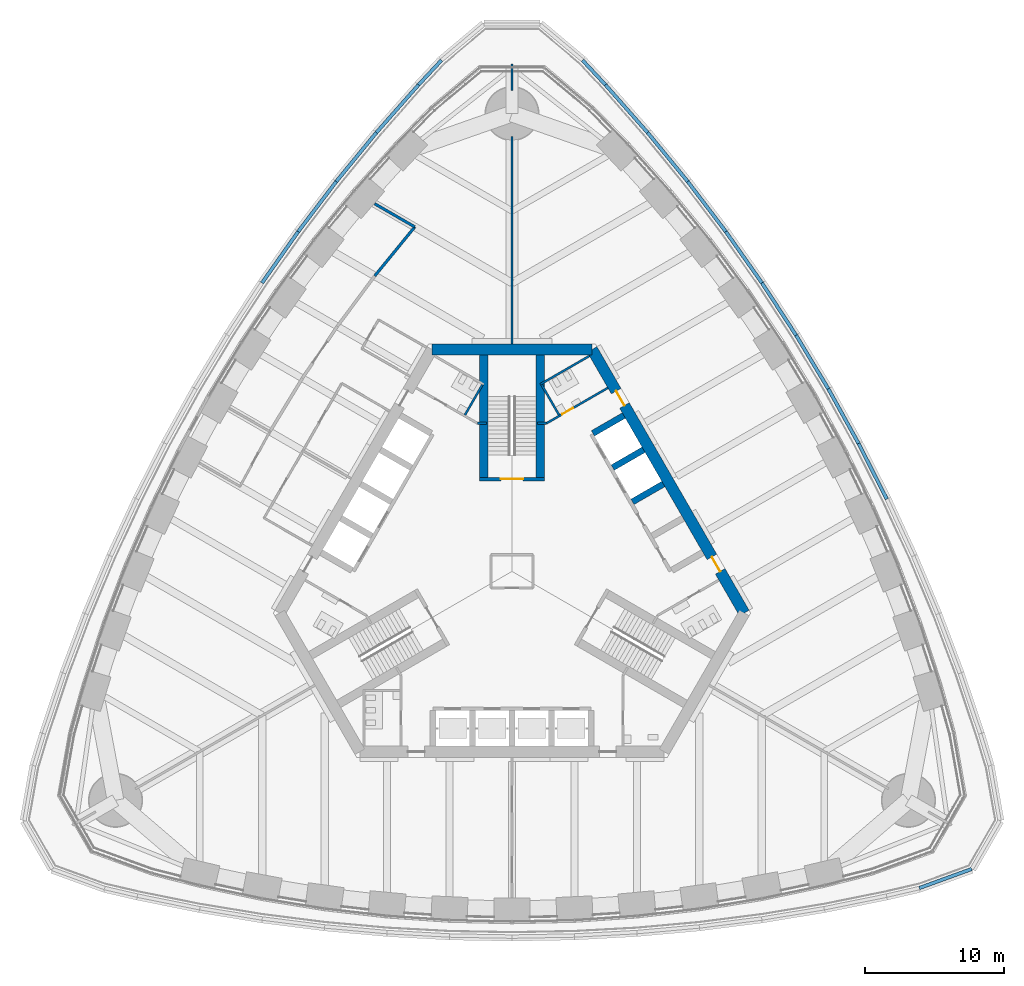
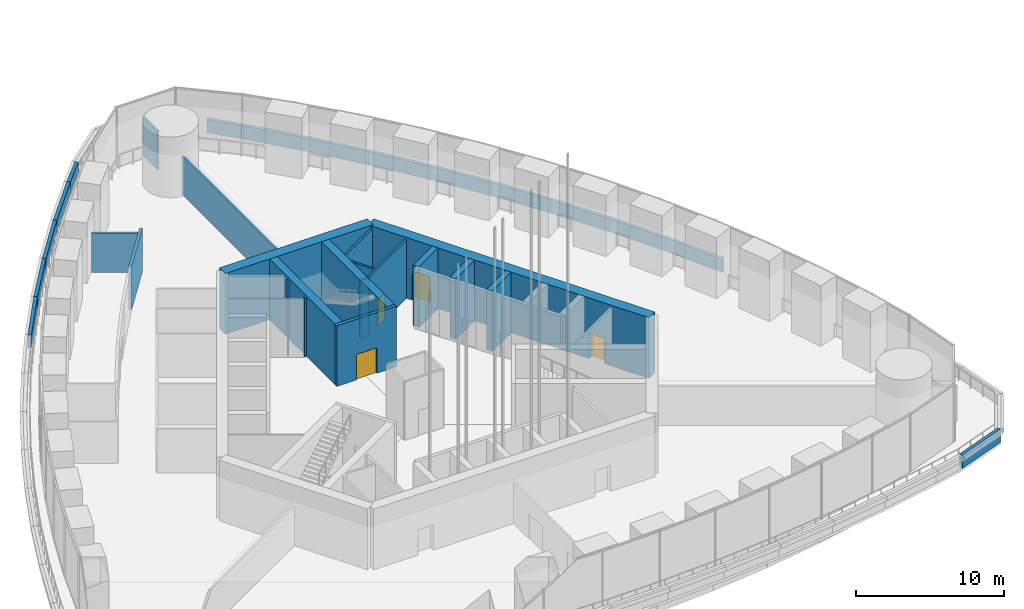
# One storey, part 15 of 31: 33 walls, 4 doors, 4 openings.
"""IFC4 building model written with IfcOpenShell, lengths in metres."""

from ifc_helpers import new_model, si_unit, direction, frame, frame_2d, origin, place, context, subcontext, project, spatial, rectangle, extrude, material, layer, layer_set, type_object, element, fill, save


model = new_model("IFC4")

# Units and contexts
model_context = context("Model", 3, precision=1e-05, world=origin(), true_north=direction((0.0, 1.0)))
body_context = subcontext(model_context, "Body", "Model", "MODEL_VIEW")
ifc_project = project(units=[si_unit("LENGTHUNIT", "METRE"), si_unit("AREAUNIT", "SQUARE_METRE"), si_unit("VOLUMEUNIT", "CUBIC_METRE"), si_unit("PLANEANGLEUNIT", "RADIAN"), si_unit("MASSUNIT", "GRAM", prefix="KILO")], contexts=[model_context])

# Site, building, storey
site_placement = place(None, origin())
site = spatial("IfcSite", under=ifc_project, at=site_placement, CompositionType="ELEMENT")
building_placement = place(site_placement, origin())
building = spatial("IfcBuilding", under=site, at=building_placement, Name="Trefoil Bronze Tower", CompositionType="ELEMENT")
storey_placement = place(building_placement, frame((0.0, 0.0, 184.699951171875)))
storey = spatial("IfcBuildingStorey", under=building, at=storey_placement, Name="L42", CompositionType="ELEMENT", Elevation=184.699951171875)

# Walls
ifc_material_1 = material(Name="Gypsum board on steel studs", Category="steel")
ifc_layer_1 = layer(ifc_material_1, 0.199951171875)
ifc_layer_set_1 = layer_set([ifc_layer_1], Name="Acoustic partition 200")
wall_type_1 = type_object("IfcWallType", Name="Acoustic partition 200", PredefinedType="PARTITIONING", material=ifc_layer_set_1)
wall_1_placement = place(storey_placement, frame((-7.006591796875, 24.829833984375, 0.0), z_axis=(0.0, 0.0, 1.0), x_axis=(-0.632765292047, -0.774343647989, 0.0)))
element("IfcWall", 1, at=wall_1_placement, inside=storey, type_object=wall_type_1, Name="Partition F3 L42", PredefinedType="PARTITIONING", context=body_context, shape_type="SweptSolid", body=[
    extrude(rectangle(XDim=4.559326171875, YDim=0.199951171875, at=frame_2d((2.27978515625, 0.0))), origin(), (0.0, 0.0, 1.0), 3.60009765625),
])
wall_2_placement = place(storey_placement, frame((-7.006591796875, 24.829833984375, 0.0), z_axis=(0.0, 0.0, 1.0), x_axis=(-0.86600919026, 0.500028081597, 0.0)))
element("IfcWall", 2, at=wall_2_placement, inside=storey, type_object=wall_type_1, Name="Partition F3 L42", PredefinedType="PARTITIONING", context=body_context, shape_type="SweptSolid", body=[
    extrude(rectangle(XDim=3.342041015625, YDim=0.199951171875, at=frame_2d((1.6708984375, 0.0))), origin(), (0.0, 0.0, 1.0), 3.199951171875),
])

# Wall, openings, doors
ifc_material_2 = material(Name="Concrete B80", Category="concrete")
ifc_layer_2 = layer(ifc_material_2, 0.800048828125)
ifc_layer_set_2 = layer_set([ifc_layer_2], Name="Core wall 800")
wall_type_2 = type_object("IfcWallType", Name="Core wall 800", PredefinedType="SHEAR", material=ifc_layer_set_2)
wall_3_placement = place(storey_placement, frame((16.7431640625, -3.0, 0.0), z_axis=(0.0, 0.0, 1.0), x_axis=(-0.500002442456, 0.866023993627, 0.0)))
wall_3 = element("IfcWall", 3, at=wall_3_placement, inside=storey, type_object=wall_type_2, Name="Core long wall 2 L42", PredefinedType="SHEAR", context=body_context, shape_type="SweptSolid", body=[
    extrude(rectangle(XDim=21.939453125, YDim=0.800048828125, at=frame_2d((10.9697265625, 0.0))), origin(), (0.0, 0.0, 1.0), 5.0),
])
opening_1_placement = place(wall_3_placement, frame((17.269775390625, 0.0, 0.0)))
opening_1 = element("IfcOpeningElement", 4, at=opening_1_placement, cuts=wall_3, Name="Opening D2", PredefinedType="OPENING", context=body_context, shape_type="SweptSolid", body=[
    extrude(rectangle(XDim=1.199951171875, YDim=2.10009765625, at=frame_2d((0.60009765625, 1.050048828125))), frame((0.0, 0.409912109375, 0.0), z_axis=(0.0, -1.0, 0.0), x_axis=(1.0, 0.0, 0.0)), (0.0, 0.0, 1.0), 0.820068359375),
])
opening_2_placement = place(wall_3_placement, frame((3.4697265625, 0.0, 0.0)))
opening_2 = element("IfcOpeningElement", 5, at=opening_2_placement, cuts=wall_3, Name="Opening D2", PredefinedType="OPENING", context=body_context, shape_type="SweptSolid", body=[
    extrude(rectangle(XDim=1.199951171875, YDim=2.10009765625, at=frame_2d((0.60009765625, 1.050048828125))), frame((0.0, 0.409912109375, 0.0), z_axis=(0.0, -1.0, 0.0), x_axis=(1.0, 0.0, 0.0)), (0.0, 0.0, 1.0), 0.820068359375),
])
ifc_material_3 = material(Name="Steel door", Category="steel")
door_type_1 = type_object("IfcDoorType", Name="Lobby door 1200", OperationType="SINGLE_SWING_RIGHT", PredefinedType="DOOR", material=ifc_material_3)
door_1_placement = place(opening_1_placement, origin())
door_1 = element("IfcDoor", 6, at=door_1_placement, inside=storey, type_object=door_type_1, Name="Lobby door F2+ L42", OperationType="SINGLE_SWING_RIGHT", OverallHeight=2.10009765625, OverallWidth=1.199951171875, PredefinedType="DOOR", context=body_context, shape_type="SweptSolid", body=[
    extrude(rectangle(XDim=1.199951171875, YDim=2.10009765625, at=frame_2d((0.60009765625, 1.050048828125))), frame((0.0, 0.02490234375, 0.0), z_axis=(0.0, -1.0, 0.0), x_axis=(1.0, 0.0, 0.0)), (0.0, 0.0, 1.0), 0.050048828125),
])
fill(opening_1, door_1)
door_2_placement = place(opening_2_placement, origin())
door_2 = element("IfcDoor", 7, at=door_2_placement, inside=storey, type_object=door_type_1, Name="Lobby door F2- L42", OperationType="SINGLE_SWING_LEFT", OverallHeight=2.10009765625, OverallWidth=1.199951171875, PredefinedType="DOOR", context=body_context, shape_type="SweptSolid", body=[
    extrude(rectangle(XDim=1.199951171875, YDim=2.10009765625, at=frame_2d((0.60009765625, 1.050048828125))), frame((0.0, 0.02490234375, 0.0), z_axis=(0.0, -1.0, 0.0), x_axis=(1.0, 0.0, 0.0)), (0.0, 0.0, 1.0), 0.050048828125),
])
fill(opening_2, door_2)

# Walls
wall_4_placement = place(storey_placement, frame((5.7734375, 16.0, 0.0), z_axis=(0.0, 0.0, 1.0), x_axis=(-1.0, 0.0, 0.0)))
element("IfcWall", 8, at=wall_4_placement, inside=storey, type_object=wall_type_2, Name="Core short wall 2 L42", PredefinedType="SHEAR", context=body_context, shape_type="SweptSolid", body=[
    extrude(rectangle(XDim=11.546875, YDim=0.800048828125, at=frame_2d((5.7734375, 0.0))), origin(), (0.0, 0.0, 1.0), 5.0),
])
ifc_material_4 = material(Name="Concrete B80", Category="concrete")
ifc_layer_3 = layer(ifc_material_4, 0.449951171875)
ifc_layer_set_3 = layer_set([ifc_layer_3], Name="Outrigger shaft wall 450")
wall_type_3 = type_object("IfcWallType", Name="Outrigger shaft wall 450", PredefinedType="SHEAR", material=ifc_layer_set_3)
for number, where, z_axis, x_axis, name in (
    (9, (8.681884765625, 5.012451171875, 0.0), (0.0, 0.0, 1.0), (0.866005588531, 0.500034319456, 0.0), "Lift shaft side wall B2 L42"),
    (10, (7.2568359375, 7.480712890625, 0.0), (0.0, 0.0, 1.0), (0.866046643894, 0.499963209246, 0.0), "Lift shaft side wall B3 L42"),
):
    element("IfcWall", number, at=place(storey_placement, frame(where, z_axis=z_axis, x_axis=x_axis)), inside=storey, type_object=wall_type_3, Name=name, PredefinedType="SHEAR", context=body_context, shape_type="SweptSolid", body=[
        extrude(rectangle(XDim=2.574951171875, YDim=0.449951171875, at=frame_2d((1.28759765625, 0.0))), origin(), (0.0, 0.0, 1.0), 5.0),
    ])
wall_5_placement = place(storey_placement, frame((5.831787109375, 9.94873046875, 0.0), z_axis=(0.0, 0.0, 1.0), x_axis=(0.866029291668, 0.499993265928, 0.0)))
element("IfcWall", 11, at=wall_5_placement, inside=storey, type_object=wall_type_3, Name="Lift shaft side wall B4 L42", PredefinedType="SHEAR", context=body_context, shape_type="SweptSolid", body=[
    extrude(rectangle(XDim=2.5751953125, YDim=0.449951171875, at=frame_2d((1.28759765625, 0.0))), origin(), (0.0, 0.0, 1.0), 5.0),
])
ifc_material_5 = material(Name="Concrete B80", Category="concrete")
ifc_layer_4 = layer(ifc_material_5, 0.25)
ifc_layer_set_4 = layer_set([ifc_layer_4], Name="Parapet 250")
wall_type_4 = type_object("IfcWallType", Name="Parapet 250", PredefinedType="PARAPET", material=ifc_layer_set_4)
wall_6_placement = place(storey_placement, frame((29.357666015625, -22.82470703125, 0.0), z_axis=(0.0, 0.0, 1.0), x_axis=(0.939690503952, 0.342025959222, 0.0)))
element("IfcWall", 12, at=wall_6_placement, inside=storey, type_object=wall_type_4, Name="Parapet L42.15", PredefinedType="PARAPET", context=body_context, shape_type="SweptSolid", body=[
    extrude(rectangle(XDim=4.018798828125, YDim=0.25, at=frame_2d((2.00927734375, 0.0))), origin(), (0.0, 0.0, 1.0), 1.10009765625),
])
wall_7_placement = place(storey_placement, frame((27.0166015625, 5.205810546875, 0.0), z_axis=(0.0, 0.0, 1.0), x_axis=(-0.452471679136, 0.891778772779, 0.0)))
element("IfcWall", 13, at=wall_7_placement, inside=storey, type_object=wall_type_4, Name="Parapet L42.23", PredefinedType="PARAPET", context=body_context, shape_type="SweptSolid", body=[
    extrude(rectangle(XDim=4.506591796875, YDim=0.25, at=frame_2d((2.25341796875, 0.0))), origin(), (0.0, 0.0, 1.0), 1.10009765625),
])
for number, where, z_axis, x_axis, name in (
    (14, (24.9775390625, 9.224609375, 0.0), (0.0, 0.0, 1.0), (-0.484292898211, 0.874905931368, 0.0), "Parapet L42.24"),
    (15, (22.7978515625, 13.162353515625, 0.0), (0.0, 0.0, 1.0), (-0.515548366618, 0.856860479703, 0.0), "Parapet L42.25"),
):
    element("IfcWall", number, at=place(storey_placement, frame(where, z_axis=z_axis, x_axis=x_axis)), inside=storey, type_object=wall_type_4, Name=name, PredefinedType="PARAPET", context=body_context, shape_type="SweptSolid", body=[
        extrude(rectangle(XDim=4.500732421875, YDim=0.25, at=frame_2d((2.25048828125, 0.0))), origin(), (0.0, 0.0, 1.0), 1.10009765625),
    ])
wall_8_placement = place(storey_placement, frame((20.4775390625, 17.018798828125, 0.0), z_axis=(0.0, 0.0, 1.0), x_axis=(-0.546069464151, 0.837739900161, 0.0)))
element("IfcWall", 16, at=wall_8_placement, inside=storey, type_object=wall_type_4, Name="Parapet L42.26", PredefinedType="PARAPET", context=body_context, shape_type="SweptSolid", body=[
    extrude(rectangle(XDim=4.506591796875, YDim=0.25, at=frame_2d((2.25341796875, 0.0))), origin(), (0.0, 0.0, 1.0), 1.10009765625),
])
wall_9_placement = place(storey_placement, frame((18.0166015625, 20.794189453125, 0.0), z_axis=(0.0, 0.0, 1.0), x_axis=(-0.575987178736, 0.817458726745, 0.0)))
element("IfcWall", 17, at=wall_9_placement, inside=storey, type_object=wall_type_4, Name="Parapet L42.27", PredefinedType="PARAPET", context=body_context, shape_type="SweptSolid", body=[
    extrude(rectangle(XDim=4.518310546875, YDim=0.25, at=frame_2d((2.25927734375, 0.0))), origin(), (0.0, 0.0, 1.0), 1.10009765625),
])
wall_10_placement = place(storey_placement, frame((15.4140625, 24.48779296875, 0.0), z_axis=(0.0, 0.0, 1.0), x_axis=(-0.605274299339, 0.796016973789, 0.0)))
element("IfcWall", 18, at=wall_10_placement, inside=storey, type_object=wall_type_4, Name="Parapet L42.28", PredefinedType="PARAPET", context=body_context, shape_type="SweptSolid", body=[
    extrude(rectangle(XDim=4.5361328125, YDim=0.25, at=frame_2d((2.26806640625, 0.0))), origin(), (0.0, 0.0, 1.0), 1.10009765625),
])
wall_11_placement = place(storey_placement, frame((12.66845703125, 28.0986328125, 0.0), z_axis=(0.0, 0.0, 1.0), x_axis=(-0.633843962561, 0.773460943503, 0.0)))
element("IfcWall", 19, at=wall_11_placement, inside=storey, type_object=wall_type_4, Name="Parapet L42.29", PredefinedType="PARAPET", context=body_context, shape_type="SweptSolid", body=[
    extrude(rectangle(XDim=4.560546875, YDim=0.25, at=frame_2d((2.2802734375, 0.0))), origin(), (0.0, 0.0, 1.0), 1.10009765625),
])
wall_12_placement = place(storey_placement, frame((9.77783203125, 31.6259765625, 0.0), z_axis=(0.0, 0.0, 1.0), x_axis=(-0.661732432162, 0.749740080445, 0.0)))
element("IfcWall", 20, at=wall_12_placement, inside=storey, type_object=wall_type_4, Name="Parapet L42.30", PredefinedType="PARAPET", context=body_context, shape_type="SweptSolid", body=[
    extrude(rectangle(XDim=4.591064453125, YDim=0.25, at=frame_2d((2.29541015625, 0.0))), origin(), (0.0, 0.0, 1.0), 1.10009765625),
])
for number, where, z_axis, x_axis, name in (
    (21, (6.73974609375, 35.068115234375, 0.0), (0.0, 0.0, 1.0), (-0.682533872246, 0.730853961635, 0.0), "Parapet L42.31"),
    (22, (-5.087890625, 36.8369140625, 0.0), (0.0, 0.0, 1.0), (-0.682533872246, -0.730853961635, 0.0), "Parapet L42.35"),
):
    element("IfcWall", number, at=place(storey_placement, frame(where, z_axis=z_axis, x_axis=x_axis)), inside=storey, type_object=wall_type_4, Name=name, PredefinedType="PARAPET", context=body_context, shape_type="SweptSolid", body=[
        extrude(rectangle(XDim=2.420166015625, YDim=0.25, at=frame_2d((1.2099609375, 0.0))), origin(), (0.0, 0.0, 1.0), 1.10009765625),
    ])
wall_13_placement = place(storey_placement, frame((-6.73974609375, 35.068115234375, 0.0), z_axis=(0.0, 0.0, 1.0), x_axis=(-0.661732432162, -0.749740080445, 0.0)))
element("IfcWall", 23, at=wall_13_placement, inside=storey, type_object=wall_type_4, Name="Parapet L42.36", PredefinedType="PARAPET", context=body_context, shape_type="SweptSolid", body=[
    extrude(rectangle(XDim=4.591064453125, YDim=0.25, at=frame_2d((2.29541015625, 0.0))), origin(), (0.0, 0.0, 1.0), 1.10009765625),
])
wall_14_placement = place(storey_placement, frame((-9.77783203125, 31.6259765625, 0.0), z_axis=(0.0, 0.0, 1.0), x_axis=(-0.633843962561, -0.773460943503, 0.0)))
element("IfcWall", 24, at=wall_14_placement, inside=storey, type_object=wall_type_4, Name="Parapet L42.37", PredefinedType="PARAPET", context=body_context, shape_type="SweptSolid", body=[
    extrude(rectangle(XDim=4.560546875, YDim=0.25, at=frame_2d((2.2802734375, 0.0))), origin(), (0.0, 0.0, 1.0), 1.10009765625),
])
wall_15_placement = place(storey_placement, frame((-12.66845703125, 28.0986328125, 0.0), z_axis=(0.0, 0.0, 1.0), x_axis=(-0.605274299339, -0.796016973789, 0.0)))
element("IfcWall", 25, at=wall_15_placement, inside=storey, type_object=wall_type_4, Name="Parapet L42.38", PredefinedType="PARAPET", context=body_context, shape_type="SweptSolid", body=[
    extrude(rectangle(XDim=4.5361328125, YDim=0.25, at=frame_2d((2.26806640625, 0.0))), origin(), (0.0, 0.0, 1.0), 1.10009765625),
])
wall_16_placement = place(storey_placement, frame((-15.4140625, 24.48779296875, 0.0), z_axis=(0.0, 0.0, 1.0), x_axis=(-0.575987178736, -0.817458726745, 0.0)))
element("IfcWall", 26, at=wall_16_placement, inside=storey, type_object=wall_type_4, Name="Parapet L42.39", PredefinedType="PARAPET", context=body_context, shape_type="SweptSolid", body=[
    extrude(rectangle(XDim=4.518310546875, YDim=0.25, at=frame_2d((2.25927734375, 0.0))), origin(), (0.0, 0.0, 1.0), 1.10009765625),
])

# Wall, opening, door
ifc_material_6 = material(Name="Gypsum board on steel studs", Category="steel")
ifc_layer_5 = layer(ifc_material_6, 0.14990234375)
ifc_layer_set_5 = layer_set([ifc_layer_5], Name="Partition 150")
wall_type_5 = type_object("IfcWallType", Name="Partition 150", PredefinedType="PARTITIONING", material=ifc_layer_set_5)
wall_17_placement = place(storey_placement, frame((2.4951171875, 10.67822265625, 0.0), z_axis=(0.0, 0.0, 1.0), x_axis=(0.86602216432, 0.500005610874, 0.0)))
wall_17 = element("IfcWall", 27, at=wall_17_placement, inside=storey, type_object=wall_type_5, Name="Passage wall F2+ L42", PredefinedType="PARTITIONING", context=body_context, shape_type="SweptSolid", body=[
    extrude(rectangle(XDim=5.10009765625, YDim=0.14990234375, at=frame_2d((2.550048828125, 0.0))), origin(), (0.0, 0.0, 1.0), 4.800048828125),
])
opening_3_placement = place(wall_17_placement, frame((1.300048828125, 0.0, 0.0)))
opening_3 = element("IfcOpeningElement", 28, at=opening_3_placement, cuts=wall_17, Name="Opening D3", PredefinedType="OPENING", context=body_context, shape_type="SweptSolid", body=[
    extrude(rectangle(XDim=0.89990234375, YDim=2.10009765625, at=frame_2d((0.449951171875, 1.050048828125))), frame((0.0, 0.0849609375, 0.0), z_axis=(0.0, -1.0, 0.0), x_axis=(1.0, 0.0, 0.0)), (0.0, 0.0, 1.0), 0.169921875),
])
ifc_material_7 = material(Name="Timber door", Category="wood")
door_type_2 = type_object("IfcDoorType", Name="WC door 900", OperationType="SINGLE_SWING_LEFT", PredefinedType="DOOR", material=ifc_material_7)
door_3_placement = place(opening_3_placement, origin())
door_3 = element("IfcDoor", 29, at=door_3_placement, inside=storey, type_object=door_type_2, Name="WC (men) door L42", OperationType="SINGLE_SWING_LEFT", OverallHeight=2.10009765625, OverallWidth=0.89990234375, PredefinedType="DOOR", context=body_context, shape_type="SweptSolid", body=[
    extrude(rectangle(XDim=0.89990234375, YDim=2.10009765625, at=frame_2d((0.449951171875, 1.050048828125))), frame((0.0, 0.02490234375, 0.0), z_axis=(0.0, -1.0, 0.0), x_axis=(1.0, 0.0, 0.0)), (0.0, 0.0, 1.0), 0.050048828125),
])
fill(opening_3, door_3)

# Walls
for number, where, z_axis, x_axis, name in (
    (30, (2.4951171875, 10.67822265625, 0.0), (0.0, 0.0, 1.0), (-1.0, 0.0, 0.0), "WC wall ST2-1 L42"),
    (31, (-2.4951171875, 10.67822265625, 0.0), (0.0, 0.0, 1.0), (1.0, 0.0, 0.0), "WC wall ST2+1 L42"),
):
    element("IfcWall", number, at=place(storey_placement, frame(where, z_axis=z_axis, x_axis=x_axis)), inside=storey, type_object=wall_type_5, Name=name, PredefinedType="PARTITIONING", context=body_context, shape_type="SweptSolid", body=[
        extrude(rectangle(XDim=0.64501953125, YDim=0.14990234375, at=frame_2d((0.322509765625, 0.0))), origin(), (0.0, 0.0, 1.0), 4.800048828125),
    ])
wall_18_placement = place(storey_placement, frame((2.03125, 13.48193359375, 0.0), z_axis=(0.0, 0.0, 1.0), x_axis=(0.866050731258, 0.499956128963, 0.0)))
element("IfcWall", 32, at=wall_18_placement, inside=storey, type_object=wall_type_5, Name="WC partition WC (men) L42", PredefinedType="PARTITIONING", context=body_context, shape_type="SweptSolid", body=[
    extrude(rectangle(XDim=4.099853515625, YDim=0.14990234375, at=frame_2d((2.0498046875, 0.0))), origin(), (0.0, 0.0, 1.0), 4.800048828125),
])
for number, where, z_axis, x_axis, name in (
    (33, (3.388671875, 11.28076171875, 0.0), (0.0, 0.0, 1.0), (-0.499989096993, 0.866031698547, 0.0), "WC partition WC (men) L42"),
    (34, (-3.388671875, 11.28076171875, 0.0), (0.0, 0.0, 1.0), (0.499989096993, 0.866031698547, 0.0), "WC partition WC (women) L42"),
):
    element("IfcWall", number, at=place(storey_placement, frame(where, z_axis=z_axis, x_axis=x_axis)), inside=storey, type_object=wall_type_5, Name=name, PredefinedType="PARTITIONING", context=body_context, shape_type="SweptSolid", body=[
        extrude(rectangle(XDim=2.509765625, YDim=0.14990234375, at=frame_2d((1.2548828125, 0.0))), origin(), (0.0, 0.0, 1.0), 4.800048828125),
    ])
ifc_material_8 = material(Name="Gypsum board on steel studs", Category="steel")
ifc_layer_6 = layer(ifc_material_8, 0.14990234375)
ifc_layer_set_6 = layer_set([ifc_layer_6], Name="Party wall 150")
wall_type_6 = type_object("IfcWallType", Name="Party wall 150", PredefinedType="PARTITIONING", material=ifc_layer_set_6)
wall_19_placement = place(storey_placement, frame((0.0, 16.39990234375, 0.0), z_axis=(0.0, 0.0, 1.0), x_axis=(0.0, 1.0, 0.0)))
element("IfcWall", 35, at=wall_19_placement, inside=storey, type_object=wall_type_6, Name="Party wall K2 L42", PredefinedType="PARTITIONING", context=body_context, shape_type="SweptSolid", body=[
    extrude(rectangle(XDim=14.9501953125, YDim=0.14990234375, at=frame_2d((7.47509765625, 0.0))), origin(), (0.0, 0.0, 1.0), 3.199951171875),
])
wall_20_placement = place(storey_placement, frame((0.0, 34.64990234375, 0.0), z_axis=(0.0, 0.0, 1.0), x_axis=(0.0, 1.0, 0.0)))
element("IfcWall", 36, at=wall_20_placement, inside=storey, type_object=wall_type_6, Name="Party wall K2 L42", PredefinedType="PARTITIONING", context=body_context, shape_type="SweptSolid", body=[
    extrude(rectangle(XDim=1.934814453125, YDim=0.14990234375, at=frame_2d((0.96728515625, 0.0))), origin(), (0.0, 0.0, 1.0), 3.199951171875),
])

# Wall, opening, door
ifc_material_9 = material(Name="Concrete B80", Category="concrete")
ifc_layer_7 = layer(ifc_material_9, 0.25)
ifc_layer_set_7 = layer_set([ifc_layer_7], Name="Shaft wall 250")
wall_type_7 = type_object("IfcWallType", Name="Shaft wall 250", PredefinedType="SHEAR", material=ifc_layer_set_7)
wall_21_placement = place(storey_placement, frame((2.324951171875, 6.64990234375, 0.0), z_axis=(0.0, 0.0, 1.0), x_axis=(-1.0, 0.0, 0.0)))
wall_21 = element("IfcWall", 37, at=wall_21_placement, inside=storey, type_object=wall_type_7, Name="Stair end wall ST2 L42", PredefinedType="SHEAR", context=body_context, shape_type="SweptSolid", body=[
    extrude(rectangle(XDim=4.64990234375, YDim=0.25, at=frame_2d((2.324951171875, 0.0))), origin(), (0.0, 0.0, 1.0), 5.0),
])
opening_4_placement = place(wall_21_placement, frame((1.52490234375, 0.0, 0.0)))
opening_4 = element("IfcOpeningElement", 38, at=opening_4_placement, cuts=wall_21, Name="Opening D1", PredefinedType="OPENING", context=body_context, shape_type="SweptSolid", body=[
    extrude(rectangle(XDim=1.60009765625, YDim=2.10009765625, at=frame_2d((0.800048828125, 1.050048828125))), frame((0.0, 0.135009765625, 0.0), z_axis=(0.0, -1.0, 0.0), x_axis=(1.0, 0.0, 0.0)), (0.0, 0.0, 1.0), 0.27001953125),
])
ifc_material_10 = material(Name="Steel door", Category="steel")
door_type_3 = type_object("IfcDoorType", Name="Stair door 1600", OperationType="DOUBLE_DOOR_SINGLE_SWING", PredefinedType="DOOR", material=ifc_material_10)
door_4_placement = place(opening_4_placement, frame((1.60009765625, 0.0, 0.0), z_axis=(0.0, 0.0, 1.0), x_axis=(-1.0, 0.0, 0.0)))
door_4 = element("IfcDoor", 39, at=door_4_placement, inside=storey, type_object=door_type_3, Name="Stair door ST2 L42", OperationType="DOUBLE_DOOR_SINGLE_SWING", OverallHeight=2.10009765625, OverallWidth=1.60009765625, PredefinedType="DOOR", context=body_context, shape_type="SweptSolid", body=[
    extrude(rectangle(XDim=1.60009765625, YDim=2.10009765625, at=frame_2d((0.800048828125, 1.050048828125))), frame((0.0, 0.02490234375, 0.0), z_axis=(0.0, -1.0, 0.0), x_axis=(1.0, 0.0, 0.0)), (0.0, 0.0, 1.0), 0.050048828125),
])
fill(opening_4, door_4)

# Walls
ifc_material_11 = material(Name="Concrete B80", Category="concrete")
ifc_layer_8 = layer(ifc_material_11, 0.60009765625)
ifc_layer_set_8 = layer_set([ifc_layer_8], Name="Stair wall 600")
wall_type_8 = type_object("IfcWallType", Name="Stair wall 600", PredefinedType="SHEAR", material=ifc_layer_set_8)
for number, where, z_axis, x_axis, name in (
    (40, (2.02490234375, 6.52490234375, 0.0), (0.0, 0.0, 1.0), (0.0, 1.0, 0.0), "Stair wall ST2 L42"),
    (41, (-2.02490234375, 6.52490234375, 0.0), (0.0, 0.0, 1.0), (0.0, 1.0, 0.0), "Stair wall ST2 L42"),
):
    element("IfcWall", number, at=place(storey_placement, frame(where, z_axis=z_axis, x_axis=x_axis)), inside=storey, type_object=wall_type_8, Name=name, PredefinedType="SHEAR", context=body_context, shape_type="SweptSolid", body=[
        extrude(rectangle(XDim=9.0751953125, YDim=0.60009765625, at=frame_2d((4.53759765625, 0.0))), origin(), (0.0, 0.0, 1.0), 5.0),
    ])

save(model, "model.ifc")
